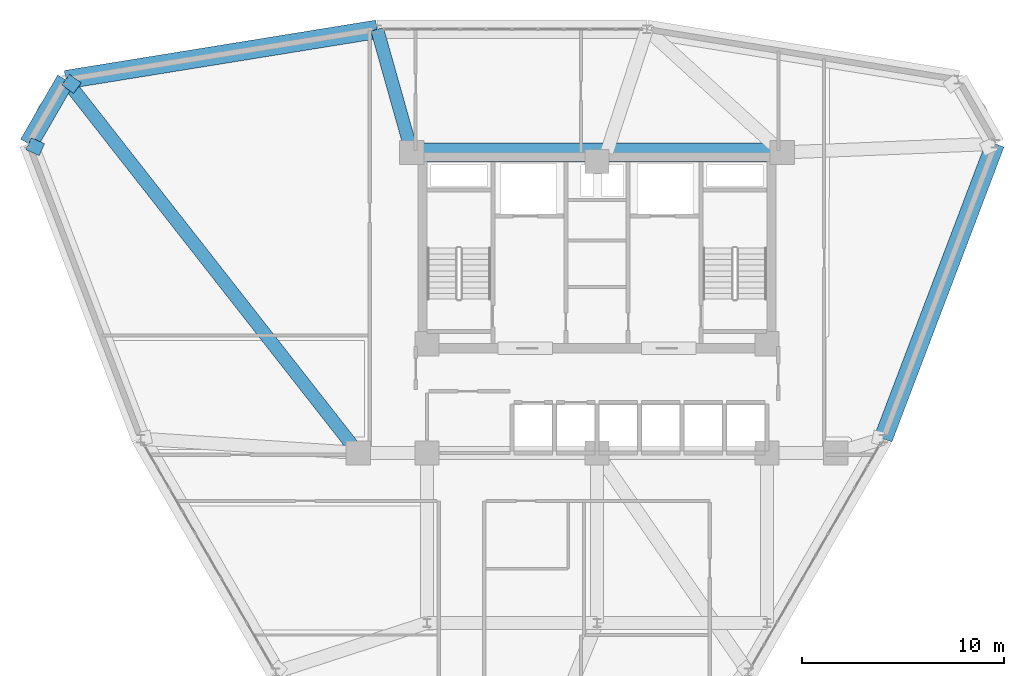
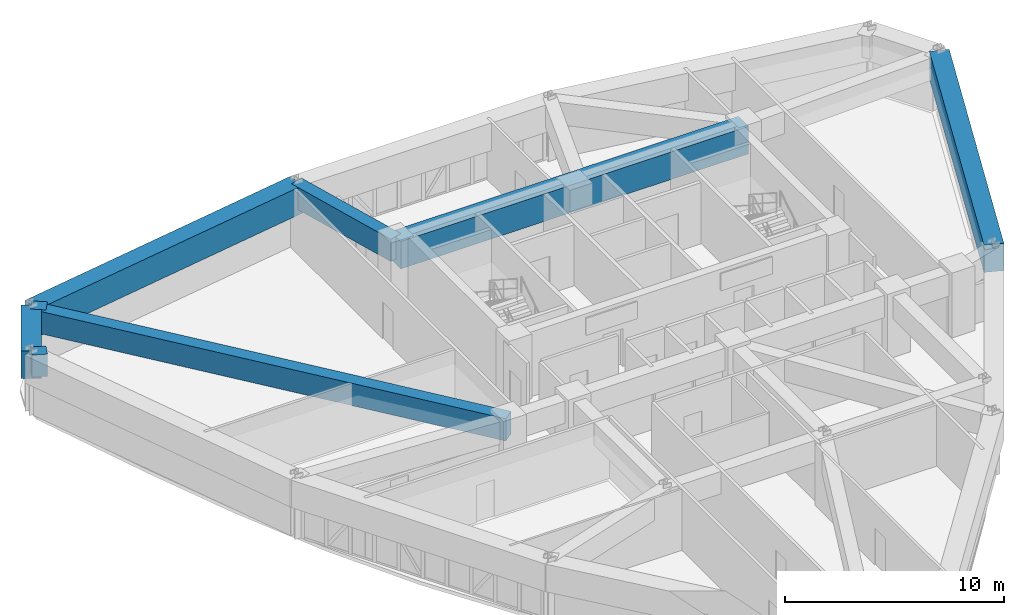
# One storey, part 9 of 16: 8 beams.
"""IFC4 building model written with IfcOpenShell, lengths in metres."""

import ifcopenshell
import ifcopenshell.guid

model = None  # the IFC model being written
_history = None  # IfcOwnerHistory: only IFC2X3 demands one
_inside = {}  # id of a spatial element -> (the spatial element, [elements in it])
_under = {}  # id of a project, library or spatial element -> (it, [spatial elements below it])
_declared = {}  # id of a project -> (the project, [libraries it declares])
_typed = {}  # id of a type object -> (the type object, [elements of that type])
_made_of = {}  # id of a material, layer set ... -> (it, [elements and type objects made of it])


def new_model(schema):
    """Start an empty IFC model of exactly this schema.

    Asked for "IFC4X3", IfcOpenShell would pick the latest addendum, in which some entities
    have other attributes; the version numbers below select the first issue.
    IFC2X3 requires an IfcOwnerHistory on every rooted entity: one is made here for all.
    """
    global model, _history
    if schema == "IFC4X3":
        model = ifcopenshell.file(schema_version=(4, 3, 0, 0))
    else:
        model = ifcopenshell.file(schema=schema)
    _inside.clear()
    _under.clear()
    _declared.clear()
    _typed.clear()
    _made_of.clear()
    _history = None
    if model.schema == "IFC2X3":
        org = make("IfcOrganization", Name="unknown")
        user = make(
            "IfcPersonAndOrganization",
            ThePerson=make("IfcPerson", FamilyName="unknown"),
            TheOrganization=org,
        )
        app = make(
            "IfcApplication",
            ApplicationDeveloper=org,
            Version="unknown",
            ApplicationFullName="unknown",
            ApplicationIdentifier="unknown",
        )
        _history = make(
            "IfcOwnerHistory",
            OwningUser=user,
            OwningApplication=app,
            ChangeAction="ADDED",
            CreationDate=0,
        )
    return model


def make(cls, **values):
    """One entity of the class cls with the attributes given. An attribute that is None is left unset."""
    return model.create_entity(
        cls, **{name: value for name, value in values.items() if value is not None}
    )


def rooted(cls, **values):
    """An entity with a GlobalId (a new one), such as an element, a storey or a relation."""
    return make(cls, GlobalId=ifcopenshell.guid.new(), OwnerHistory=_history, **values)


def si_unit(unit_type, name, prefix=None):
    """IfcSIUnit, for example si_unit("LENGTHUNIT", "METRE", prefix="MILLI")."""
    return make("IfcSIUnit", UnitType=unit_type, Prefix=prefix, Name=name)


def derived_unit(unit_type, elements):
    """IfcDerivedUnit: a product of units, each with its exponent."""
    return make(
        "IfcDerivedUnit",
        Elements=[
            make("IfcDerivedUnitElement", Unit=unit, Exponent=power)
            for unit, power in elements
        ],
        UnitType=unit_type,
    )


def assignment(units):
    """IfcUnitAssignment: the units of a project."""
    return None if units is None else make("IfcUnitAssignment", Units=units)


def point(xyz):
    """IfcCartesianPoint."""
    return None if xyz is None else make("IfcCartesianPoint", Coordinates=xyz)


def direction(xyz):
    """IfcDirection."""
    return None if xyz is None else make("IfcDirection", DirectionRatios=xyz)


def frame(location, z_axis=None, x_axis=None):
    """IfcAxis2Placement3D, a coordinate frame: its origin and axes. An axis left out is left unset."""
    return make(
        "IfcAxis2Placement3D",
        Location=point(location),
        Axis=direction(z_axis),
        RefDirection=direction(x_axis),
    )


def frame_2d(location, x_axis=None):
    """IfcAxis2Placement2D, a coordinate frame in the plane: its origin and x axis."""
    return make(
        "IfcAxis2Placement2D", Location=point(location), RefDirection=direction(x_axis)
    )


def origin():
    """The frame at (0, 0, 0) with its axes left unset."""
    return frame((0.0, 0.0, 0.0))


def origin_2d():
    """The frame at (0, 0) in the plane with its x axis left unset."""
    return frame_2d((0.0, 0.0))


def place(relative_to, where):
    """IfcLocalPlacement: puts the frame where relative to a parent placement (None: the world)."""
    return make(
        "IfcLocalPlacement", PlacementRelTo=relative_to, RelativePlacement=where
    )


def context(
    kind, dimensions, precision=None, world=None, true_north=None, identifier=None
):
    """IfcGeometricRepresentationContext, for example the 3D "Model" context."""
    return make(
        "IfcGeometricRepresentationContext",
        ContextIdentifier=identifier,
        ContextType=kind,
        CoordinateSpaceDimension=dimensions,
        Precision=precision,
        WorldCoordinateSystem=world,
        TrueNorth=true_north,
    )


def subcontext(parent, identifier, kind, view, scale=None):
    """IfcGeometricRepresentationSubContext, for example "Body" below "Model"."""
    return make(
        "IfcGeometricRepresentationSubContext",
        ContextIdentifier=identifier,
        ContextType=kind,
        ParentContext=parent,
        TargetScale=scale,
        TargetView=view,
    )


def project(units=None, contexts=None):
    """IfcProject with its units and contexts."""
    return rooted(
        "IfcProject",
        Name="project",
        RepresentationContexts=contexts,
        UnitsInContext=assignment(units),
    )


def spatial(cls, under=None, at=None, **own):
    """A site, building, storey or space (cls), placed at a placement, below another one or the project."""
    s = rooted(cls, ObjectPlacement=at, **own)
    if under is not None:
        _under.setdefault(under.id(), (under, []))[1].append(s)
    return s


def profile(cls, at=None, kind="AREA", **sizes):
    """A parametric profile (cls). Its sizes go by their IFC names, for example OverallWidth=200.0."""
    return make(cls, ProfileType=kind, Position=at, **sizes)


def rectangle(**sizes):
    """IfcRectangleProfileDef."""
    return profile("IfcRectangleProfileDef", **sizes)


def extrude(swept, where, along, depth):
    """IfcExtrudedAreaSolid: the profile swept, set in the frame where, extruded along a direction by depth."""
    return make(
        "IfcExtrudedAreaSolid",
        SweptArea=swept,
        Position=where,
        ExtrudedDirection=direction(along),
        Depth=depth,
    )


def shape(context_of_items, identifier, shape_type, items):
    """IfcShapeRepresentation: the items that make up one representation, for example the "Body"."""
    return make(
        "IfcShapeRepresentation",
        ContextOfItems=context_of_items,
        RepresentationIdentifier=identifier,
        RepresentationType=shape_type,
        Items=items,
    )


def source(mapping_origin, context_of_items, identifier, shape_type, items):
    """IfcRepresentationMap: a shape defined once, which mapped items show again and again."""
    return make(
        "IfcRepresentationMap",
        MappingOrigin=mapping_origin,
        MappedRepresentation=shape(context_of_items, identifier, shape_type, items),
    )


def transform(
    local_origin,
    x_axis=None,
    y_axis=None,
    z_axis=None,
    scale=None,
    scale2=None,
    scale3=None,
    uniform=True,
):
    """IfcCartesianTransformationOperator3D, or its non-uniform kind. x_axis, y_axis, z_axis: its Axis1, 2, 3."""
    if uniform:
        return make(
            "IfcCartesianTransformationOperator3D",
            Axis1=direction(x_axis),
            Axis2=direction(y_axis),
            LocalOrigin=point(local_origin),
            Scale=scale,
            Axis3=direction(z_axis),
        )
    return make(
        "IfcCartesianTransformationOperator3DnonUniform",
        Axis1=direction(x_axis),
        Axis2=direction(y_axis),
        LocalOrigin=point(local_origin),
        Scale=scale,
        Axis3=direction(z_axis),
        Scale2=scale2,
        Scale3=scale3,
    )


def mapped(mapping_source, mapping_target):
    """IfcMappedItem: shows the shape of a source again, moved by a transform."""
    return make(
        "IfcMappedItem", MappingSource=mapping_source, MappingTarget=mapping_target
    )


def material(Name=None, Category=None):
    """IfcMaterial."""
    return make("IfcMaterial", Name=Name, Category=Category)


def material_profile(
    of_material, cross_section, Name=None, Category=None, Priority=None
):
    """IfcMaterialProfile: a cross section and its material."""
    return make(
        "IfcMaterialProfile",
        Name=Name,
        Material=of_material,
        Profile=cross_section,
        Priority=Priority,
        Category=Category,
    )


def profile_set(profiles, Name=None, composite=None):
    """IfcMaterialProfileSet."""
    return make(
        "IfcMaterialProfileSet",
        Name=Name,
        MaterialProfiles=profiles,
        CompositeProfile=composite,
    )


def made_of(thing, what):
    """Note that an element or type object is made of a material, layer set ...; save() writes the relation."""
    if what is not None:
        _made_of.setdefault(what.id(), (what, []))[1].append(thing)
    return thing


def type_object(cls, material=None, **own):
    """A type object (cls), such as IfcWallType, which elements share."""
    return made_of(rooted(cls, **own), material)


def element(
    cls,
    number,
    at=None,
    inside=None,
    cuts=None,
    type_object=None,
    material=None,
    context=None,
    identifier="Body",
    shape_type=None,
    held_by="IfcProductDefinitionShape",
    body=None,
    shapes=None,
    **own,
):
    """One element of the class cls, such as IfcWall. Its Tag is "e" and its number.

    at: its placement. inside: the storey or other place that contains it. cuts: it is an
    opening in that element (IfcRelVoidsElement). A single representation is given by context,
    identifier, shape_type and body (its items); several are given by shapes. held_by: the class
    of the entity that holds the representations. save() writes the other relations.
    """
    e = rooted(cls, Tag="e%d" % number, ObjectPlacement=at, **own)
    if body is not None:
        shapes = [shape(context, identifier, shape_type, body)]
    if shapes is not None:
        e.Representation = make(held_by, Representations=shapes)
    if inside is not None:
        _inside.setdefault(inside.id(), (inside, []))[1].append(e)
    if cuts is not None:
        rooted(
            "IfcRelVoidsElement", RelatingBuildingElement=cuts, RelatedOpeningElement=e
        )
    if type_object is not None:
        _typed.setdefault(type_object.id(), (type_object, []))[1].append(e)
    return made_of(e, material)


def aggregate(whole, parts):
    """IfcRelAggregates: a whole, such as a stair, and the parts it consists of."""
    return rooted("IfcRelAggregates", RelatingObject=whole, RelatedObjects=parts)


def save(model, path):
    """Write the relations noted so far, then the file.

    IfcRelAggregates (storeys below a building ...), IfcRelContainedInSpatialStructure (elements
    in a storey), IfcRelDefinesByType, IfcRelAssociatesMaterial and IfcRelDeclares: one each for
    every whole, place, type object, material and project.
    """
    for whole, parts in _under.values():
        aggregate(whole, parts)
    for where, things in _inside.values():
        rooted(
            "IfcRelContainedInSpatialStructure",
            RelatedElements=things,
            RelatingStructure=where,
        )
    for kind, things in _typed.values():
        rooted("IfcRelDefinesByType", RelatedObjects=things, RelatingType=kind)
    for what, things in _made_of.values():
        rooted("IfcRelAssociatesMaterial", RelatedObjects=things, RelatingMaterial=what)
    for by, libraries in _declared.values():
        rooted("IfcRelDeclares", RelatingContext=by, RelatedDefinitions=libraries)
    model.write(path)


model = new_model("IFC4")

# Units and contexts
model_context = context("Model", 3, precision=1e-05, world=origin(), true_north=direction((0.0, 1.0)))
body_context = subcontext(model_context, "Body", "Model", "MODEL_VIEW")
ifc_project = project(units=[si_unit("LENGTHUNIT", "METRE"), si_unit("AREAUNIT", "SQUARE_METRE"), si_unit("VOLUMEUNIT", "CUBIC_METRE"), si_unit("PLANEANGLEUNIT", "RADIAN"), si_unit("MASSUNIT", "GRAM", prefix="KILO"), derived_unit("THERMALTRANSMITTANCEUNIT", [(si_unit("POWERUNIT", "WATT"), 1), (si_unit("LENGTHUNIT", "METRE"), -2), (si_unit("THERMODYNAMICTEMPERATUREUNIT", "KELVIN"), -1)])], contexts=[model_context])

# Site, building, storey
site_placement = place(None, origin())
site = spatial("IfcSite", under=ifc_project, at=site_placement, CompositionType="ELEMENT")
building_placement = place(site_placement, origin())
building = spatial("IfcBuilding", under=site, at=building_placement, Name="Korsvarv Bourse and Concert Hall", CompositionType="ELEMENT")
storey_placement = place(building_placement, frame((0.0, 0.0, 143.39990234375)))
storey = spatial("IfcBuildingStorey", under=building, at=storey_placement, Name="L36", CompositionType="ELEMENT", Elevation=143.39990234375)

# Beams
ifc_material = material(Name="Concrete C50/60", Category="concrete")
ifc_material_profile_1 = material_profile(ifc_material, rectangle(XDim=0.919921875, YDim=1.530029296875, at=origin_2d()), Name="RC-BM 920x1530")
ifc_profile_set_1 = profile_set([ifc_material_profile_1], Name="Concrete C50/60")
beam_type_1 = type_object("IfcBeamType", Name="BM-TR-154", PredefinedType="BEAM", material=ifc_profile_set_1)
shared_shape_1 = source(origin(), body_context, "Body", "SweptSolid", [
    extrude(rectangle(XDim=0.919921875, YDim=1.530029296875, at=origin_2d()), origin(), (0.0, 0.0, 1.0), 18.2998046875),
])
beam_1_placement = place(storey_placement, frame((26.85009765625, 47.25, 2.635009765625), z_axis=(1.0, 0.0, 0.0), x_axis=(0.0, 1.0, 0.0)))
element("IfcBeam", 1, at=beam_1_placement, inside=storey, type_object=beam_type_1, Name="L36 beam B-TR6", PredefinedType="BEAM", context=body_context, shape_type="MappedRepresentation", body=[
    mapped(shared_shape_1, transform((0.0, 0.0, 0.0), scale=1.0)),
])
shared_shape_2 = source(origin(), body_context, "Body", "SweptSolid", [
    extrude(rectangle(XDim=0.919921875, YDim=1.530029296875, at=origin_2d()), origin(), (0.0, 0.0, 1.0), 15.593017578125),
])
beam_2_placement = place(storey_placement, frame((25.13623046875, 53.3369140625, 2.635009765625), z_axis=(-0.987167652814, -0.159687273249, 0.0), x_axis=(0.159687273249, -0.987167652814, 0.0)))
element("IfcBeam", 2, at=beam_2_placement, inside=storey, type_object=beam_type_1, Name="L36 beam B-TR6", PredefinedType="BEAM", context=body_context, shape_type="MappedRepresentation", body=[
    mapped(shared_shape_2, transform((0.0, 0.0, 0.0), scale=1.0)),
])
shared_shape_3 = source(origin(), body_context, "Body", "SweptSolid", [
    extrude(rectangle(XDim=0.919921875, YDim=1.530029296875, at=origin_2d()), origin(), (0.0, 0.0, 1.0), 3.6591796875),
])
beam_3_placement = place(storey_placement, frame((9.743408203125, 50.846923828125, 2.635009765625), z_axis=(-0.499999675036, -0.866025591402, 0.0), x_axis=(0.866025591402, -0.499999675036, 0.0)))
element("IfcBeam", 3, at=beam_3_placement, inside=storey, type_object=beam_type_1, Name="L36 beam B-TR6", PredefinedType="BEAM", context=body_context, shape_type="MappedRepresentation", body=[
    mapped(shared_shape_3, transform((0.0, 0.0, 0.0), scale=1.0)),
])
shared_shape_4 = source(origin(), body_context, "Body", "SweptSolid", [
    extrude(rectangle(XDim=0.919921875, YDim=1.530029296875, at=origin_2d()), origin(), (0.0, 0.0, 1.0), 15.5927734375),
])
beam_4_placement = place(storey_placement, frame((50.14599609375, 33.1025390625, 2.635009765625), z_axis=(0.355308330885, 0.934749158868, 0.0), x_axis=(-0.934749158868, 0.355308330885, 0.0)))
element("IfcBeam", 4, at=beam_4_placement, inside=storey, type_object=beam_type_1, Name="L36 beam B-TR6", PredefinedType="BEAM", context=body_context, shape_type="MappedRepresentation", body=[
    mapped(shared_shape_4, transform((0.0, 0.0, 0.0), scale=1.0)),
])
ifc_material_profile_2 = material_profile(ifc_material, rectangle(XDim=0.64990234375, YDim=1.239990234375, at=origin_2d()), Name="RC-BM 650x1240")
ifc_profile_set_2 = profile_set([ifc_material_profile_2], Name="Concrete C50/60")
beam_type_2 = type_object("IfcBeamType", Name="BM-TR-SPN", PredefinedType="BEAM", material=ifc_profile_set_2)
shared_shape_5 = source(origin(), body_context, "Body", "SweptSolid", [
    extrude(rectangle(XDim=0.64990234375, YDim=1.239990234375, at=origin_2d()), origin(), (0.0, 0.0, 1.0), 6.323486328125),
])
beam_5_placement = place(storey_placement, frame((25.13623046875, 53.3369140625, 2.780029296875), z_axis=(0.271027315496, -0.962571656686, 0.0), x_axis=(0.962571656686, 0.271027315496, 0.0)))
element("IfcBeam", 5, at=beam_5_placement, inside=storey, type_object=beam_type_2, Name="L36 beam B-TRS", PredefinedType="BEAM", context=body_context, shape_type="MappedRepresentation", body=[
    mapped(shared_shape_5, transform((0.0, 0.0, 0.0), scale=1.0)),
])
shared_shape_6 = source(origin(), body_context, "Body", "SweptSolid", [
    extrude(rectangle(XDim=0.64990234375, YDim=1.239990234375, at=origin_2d()), origin(), (0.0, 0.0, 1.0), 23.436767578125),
])
beam_6_placement = place(storey_placement, frame((9.743408203125, 50.846923828125, 2.780029296875), z_axis=(0.616830562202, -0.787095964628, 0.0), x_axis=(0.787095964628, 0.616830562202, 0.0)))
element("IfcBeam", 6, at=beam_6_placement, inside=storey, type_object=beam_type_2, Name="L36 beam B-TRS", PredefinedType="BEAM", context=body_context, shape_type="MappedRepresentation", body=[
    mapped(shared_shape_6, transform((0.0, 0.0, 0.0), scale=1.0)),
])
shared_shape_7 = source(origin(), body_context, "Body", "SweptSolid", [
    extrude(rectangle(XDim=0.64990234375, YDim=1.239990234375, at=origin_2d()), origin(), (0.0, 0.0, 1.0), 0.712890625),
])
for number, where, z_axis, x_axis, name in (
    (7, (9.743408203125, 50.846923828125, 2.780029296875), (0.807296979427, -0.590145394804, 0.0), (0.590145394804, 0.807296979427, 0.0), "L36 beam B-TRS"),
    (8, (7.913818359375, 47.677978515625, 2.780029296875), (0.914839659806, -0.403817281509, 0.0), (0.403817281509, 0.914839659806, 0.0), "L36 beam B-TRS"),
):
    element("IfcBeam", number, at=place(storey_placement, frame(where, z_axis=z_axis, x_axis=x_axis)), inside=storey, type_object=beam_type_2, Name=name, PredefinedType="BEAM", context=body_context, shape_type="MappedRepresentation", body=[
        mapped(shared_shape_7, transform((0.0, 0.0, 0.0), scale=1.0)),
    ])

save(model, "model.ifc")
